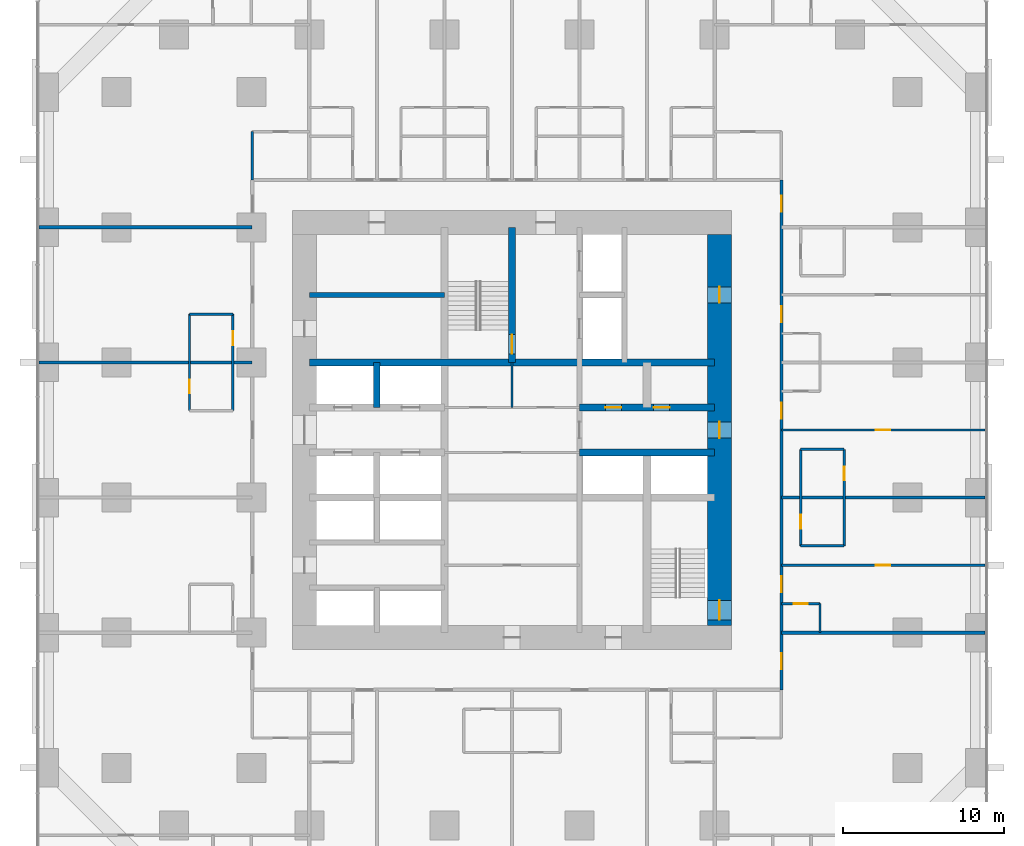
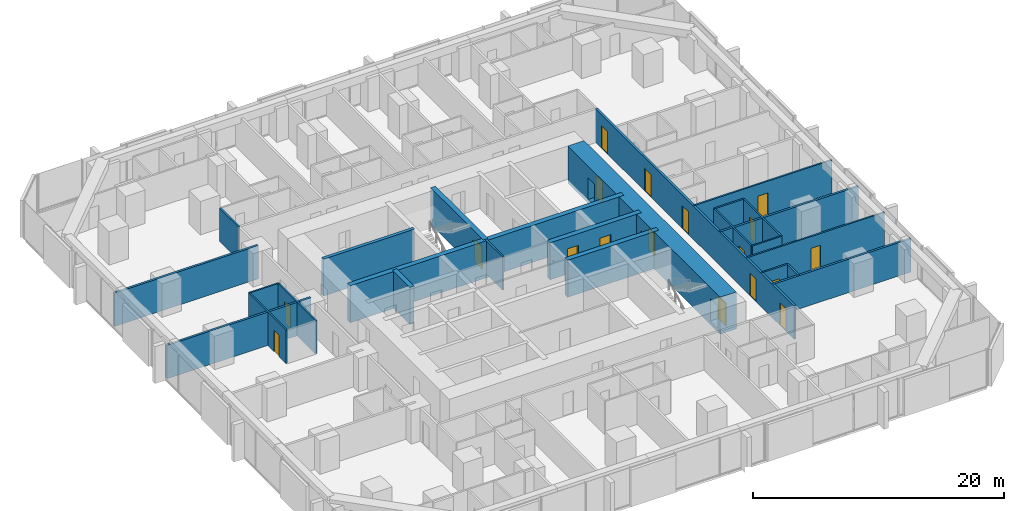
# One storey, part 13 of 17: 25 walls, 18 doors, 18 openings.
"""IFC4 building model written with IfcOpenShell, lengths in metres."""

from ifc_helpers import new_model, si_unit, direction, frame, frame_2d, origin, place, context, subcontext, project, spatial, rectangle, extrude, material, layer, layer_set, type_object, element, fill, save


model = new_model("IFC4")

# Units and contexts
model_context = context("Model", 3, precision=1e-05, world=origin(), true_north=direction((0.0, 1.0)))
body_context = subcontext(model_context, "Body", "Model", "MODEL_VIEW")
ifc_project = project(units=[si_unit("LENGTHUNIT", "METRE"), si_unit("AREAUNIT", "SQUARE_METRE"), si_unit("VOLUMEUNIT", "CUBIC_METRE"), si_unit("PLANEANGLEUNIT", "RADIAN"), si_unit("MASSUNIT", "GRAM", prefix="KILO")], contexts=[model_context])

# Site, building, storey
site_placement = place(None, origin())
site = spatial("IfcSite", under=ifc_project, at=site_placement, CompositionType="ELEMENT")
building_placement = place(site_placement, origin())
building = spatial("IfcBuilding", under=site, at=building_placement, Name="Dunama Terrace Hotel", CompositionType="ELEMENT")
storey_placement = place(building_placement, frame((0.0, 0.0, 66.60009765625)))
storey = spatial("IfcBuildingStorey", under=building, at=storey_placement, Name="L16", CompositionType="ELEMENT", Elevation=66.60009765625)

# Wall, opening, door
ifc_material_1 = material(Name="Gypsum board partition", Category="masonry")
ifc_layer_1 = layer(ifc_material_1, 0.14990234375)
ifc_layer_set_1 = layer_set([ifc_layer_1], Name="Bathroom partition 150")
wall_type_1 = type_object("IfcWallType", Name="Bathroom partition 150", PredefinedType="PARTITIONING", material=ifc_layer_set_1)
wall_1_placement = place(storey_placement, frame((9.35009765625, 30.60009765625, 0.0), z_axis=(0.0, 0.0, 1.0), x_axis=(0.0, 1.0, 0.0)))
wall_1 = element("IfcWall", 1, at=wall_1_placement, inside=storey, type_object=wall_type_1, Name="Bathroom partition 150 L16", PredefinedType="PARTITIONING", context=body_context, shape_type="SweptSolid", body=[
    extrude(rectangle(XDim=6.0, YDim=0.14990234375, at=frame_2d((3.0, 0.0))), origin(), (0.0, 0.0, 1.0), 3.25),
])
opening_1_placement = place(wall_1_placement, frame((1.074951171875, 0.0, 0.0)))
opening_1 = element("IfcOpeningElement", 2, at=opening_1_placement, cuts=wall_1, Name="Opening L15-16-052", PredefinedType="OPENING", context=body_context, shape_type="SweptSolid", body=[
    extrude(rectangle(XDim=0.85009765625, YDim=2.10009765625, at=frame_2d((0.425048828125, 1.050048828125))), frame((0.0, 0.0849609375, 0.0), z_axis=(0.0, -1.0, 0.0), x_axis=(1.0, 0.0, 0.0)), (0.0, 0.0, 1.0), 0.169921875),
])
ifc_material_2 = material(Name="Timber door with steel frame", Category="steel")
door_type_1 = type_object("IfcDoorType", Name="Bathroom door 850", OperationType="SINGLE_SWING_LEFT", PredefinedType="DOOR", material=ifc_material_2)
door_1_placement = place(opening_1_placement, frame((0.85009765625, 0.0, 0.0), z_axis=(0.0, 0.0, 1.0), x_axis=(-1.0, 0.0, 0.0)))
door_1 = element("IfcDoor", 3, at=door_1_placement, inside=storey, type_object=door_type_1, Name="Door to en-suite bathroom L15-16-052, type D2", OperationType="SINGLE_SWING_LEFT", OverallHeight=2.10009765625, OverallWidth=0.85009765625, PredefinedType="DOOR", context=body_context, shape_type="SweptSolid", body=[
    extrude(rectangle(XDim=0.85009765625, YDim=2.10009765625, at=frame_2d((0.425048828125, 1.050048828125))), frame((0.0, 0.025146484375, 0.0), z_axis=(0.0, -1.0, 0.0), x_axis=(1.0, 0.0, 0.0)), (0.0, 0.0, 1.0), 0.050048828125),
])
fill(opening_1, door_1)

wall_2_placement = place(storey_placement, frame((12.050048828125, 30.60009765625, 0.0), z_axis=(0.0, 0.0, 1.0), x_axis=(0.0, 1.0, 0.0)))
wall_2 = element("IfcWall", 4, at=wall_2_placement, inside=storey, type_object=wall_type_1, Name="Bathroom partition 150 L16", PredefinedType="PARTITIONING", context=body_context, shape_type="SweptSolid", body=[
    extrude(rectangle(XDim=6.0, YDim=0.14990234375, at=frame_2d((3.0, 0.0))), origin(), (0.0, 0.0, 1.0), 3.25),
])
opening_2_placement = place(wall_2_placement, frame((4.074951171875, 0.0, 0.0)))
opening_2 = element("IfcOpeningElement", 5, at=opening_2_placement, cuts=wall_2, Name="Opening L15-16-054", PredefinedType="OPENING", context=body_context, shape_type="SweptSolid", body=[
    extrude(rectangle(XDim=0.85009765625, YDim=2.10009765625, at=frame_2d((0.425048828125, 1.050048828125))), frame((0.0, 0.0849609375, 0.0), z_axis=(0.0, -1.0, 0.0), x_axis=(1.0, 0.0, 0.0)), (0.0, 0.0, 1.0), 0.169921875),
])
door_2_placement = place(opening_2_placement, origin())
door_2 = element("IfcDoor", 6, at=door_2_placement, inside=storey, type_object=door_type_1, Name="Door to en-suite bathroom L15-16-054, type D2", OperationType="SINGLE_SWING_LEFT", OverallHeight=2.10009765625, OverallWidth=0.85009765625, PredefinedType="DOOR", context=body_context, shape_type="SweptSolid", body=[
    extrude(rectangle(XDim=0.85009765625, YDim=2.10009765625, at=frame_2d((0.425048828125, 1.050048828125))), frame((0.0, 0.02490234375, 0.0), z_axis=(0.0, -1.0, 0.0), x_axis=(1.0, 0.0, 0.0)), (0.0, 0.0, 1.0), 0.050048828125),
])
fill(opening_2, door_2)

# Wall
wall_3_placement = place(storey_placement, frame((13.25, 44.949951171875, 0.0), z_axis=(0.0, 0.0, 1.0), x_axis=(0.0, 1.0, 0.0)))
element("IfcWall", 7, at=wall_3_placement, inside=storey, type_object=wall_type_1, Name="Bathroom partition 150 L16", PredefinedType="PARTITIONING", context=body_context, shape_type="SweptSolid", body=[
    extrude(rectangle(XDim=3.0, YDim=0.14990234375, at=frame_2d((1.5, 0.0))), origin(), (0.0, 0.0, 1.0), 3.25),
])

# Wall, opening, door
wall_4_placement = place(storey_placement, frame((47.35009765625, 22.199951171875, 0.0), z_axis=(0.0, 0.0, 1.0), x_axis=(0.0, 1.0, 0.0)))
wall_4 = element("IfcWall", 8, at=wall_4_placement, inside=storey, type_object=wall_type_1, Name="Bathroom partition 150 L16", PredefinedType="PARTITIONING", context=body_context, shape_type="SweptSolid", body=[
    extrude(rectangle(XDim=6.0, YDim=0.14990234375, at=frame_2d((3.0, 0.0))), origin(), (0.0, 0.0, 1.0), 3.25),
])
opening_3_placement = place(wall_4_placement, frame((1.074951171875, 0.0, 0.0)))
opening_3 = element("IfcOpeningElement", 9, at=opening_3_placement, cuts=wall_4, Name="Opening L15-16-022", PredefinedType="OPENING", context=body_context, shape_type="SweptSolid", body=[
    extrude(rectangle(XDim=0.85009765625, YDim=2.10009765625, at=frame_2d((0.425048828125, 1.050048828125))), frame((0.0, 0.0849609375, 0.0), z_axis=(0.0, -1.0, 0.0), x_axis=(1.0, 0.0, 0.0)), (0.0, 0.0, 1.0), 0.169921875),
])
door_3_placement = place(opening_3_placement, frame((0.85009765625, 0.0, 0.0), z_axis=(0.0, 0.0, 1.0), x_axis=(-1.0, 0.0, 0.0)))
door_3 = element("IfcDoor", 10, at=door_3_placement, inside=storey, type_object=door_type_1, Name="Door to en-suite bathroom L15-16-022, type D2", OperationType="SINGLE_SWING_LEFT", OverallHeight=2.10009765625, OverallWidth=0.85009765625, PredefinedType="DOOR", context=body_context, shape_type="SweptSolid", body=[
    extrude(rectangle(XDim=0.85009765625, YDim=2.10009765625, at=frame_2d((0.425048828125, 1.050048828125))), frame((0.0, 0.025146484375, 0.0), z_axis=(0.0, -1.0, 0.0), x_axis=(1.0, 0.0, 0.0)), (0.0, 0.0, 1.0), 0.050048828125),
])
fill(opening_3, door_3)

# Wall
wall_5_placement = place(storey_placement, frame((48.550048828125, 16.800048828125, 0.0), z_axis=(0.0, 0.0, 1.0), x_axis=(0.0, 1.0, 0.0)))
element("IfcWall", 11, at=wall_5_placement, inside=storey, type_object=wall_type_1, Name="Bathroom partition 150 L16", PredefinedType="PARTITIONING", context=body_context, shape_type="SweptSolid", body=[
    extrude(rectangle(XDim=1.800048828125, YDim=0.14990234375, at=frame_2d((0.89990234375, 0.0))), origin(), (0.0, 0.0, 1.0), 3.25),
])

# Wall, opening, door
wall_6_placement = place(storey_placement, frame((50.050048828125, 22.199951171875, 0.0), z_axis=(0.0, 0.0, 1.0), x_axis=(0.0, 1.0, 0.0)))
wall_6 = element("IfcWall", 12, at=wall_6_placement, inside=storey, type_object=wall_type_1, Name="Bathroom partition 150 L16", PredefinedType="PARTITIONING", context=body_context, shape_type="SweptSolid", body=[
    extrude(rectangle(XDim=6.0, YDim=0.14990234375, at=frame_2d((3.0, 0.0))), origin(), (0.0, 0.0, 1.0), 3.25),
])
opening_4_placement = place(wall_6_placement, frame((4.074951171875, 0.0, 0.0)))
opening_4 = element("IfcOpeningElement", 13, at=opening_4_placement, cuts=wall_6, Name="Opening L15-16-026", PredefinedType="OPENING", context=body_context, shape_type="SweptSolid", body=[
    extrude(rectangle(XDim=0.85009765625, YDim=2.10009765625, at=frame_2d((0.425048828125, 1.050048828125))), frame((0.0, 0.0849609375, 0.0), z_axis=(0.0, -1.0, 0.0), x_axis=(1.0, 0.0, 0.0)), (0.0, 0.0, 1.0), 0.169921875),
])
door_4_placement = place(opening_4_placement, origin())
door_4 = element("IfcDoor", 14, at=door_4_placement, inside=storey, type_object=door_type_1, Name="Door to en-suite bathroom L15-16-026, type D2", OperationType="SINGLE_SWING_LEFT", OverallHeight=2.10009765625, OverallWidth=0.85009765625, PredefinedType="DOOR", context=body_context, shape_type="SweptSolid", body=[
    extrude(rectangle(XDim=0.85009765625, YDim=2.10009765625, at=frame_2d((0.425048828125, 1.050048828125))), frame((0.0, 0.02490234375, 0.0), z_axis=(0.0, -1.0, 0.0), x_axis=(1.0, 0.0, 0.0)), (0.0, 0.0, 1.0), 0.050048828125),
])
fill(opening_4, door_4)

wall_7_placement = place(storey_placement, frame((46.14990234375, 18.60009765625, 0.0), z_axis=(0.0, 0.0, 1.0), x_axis=(1.0, 0.0, 0.0)))
wall_7 = element("IfcWall", 15, at=wall_7_placement, inside=storey, type_object=wall_type_1, Name="Bathroom partition 150 L16", PredefinedType="PARTITIONING", context=body_context, shape_type="SweptSolid", body=[
    extrude(rectangle(XDim=2.400146484375, YDim=0.14990234375, at=frame_2d((1.2001953125, 0.0))), origin(), (0.0, 0.0, 1.0), 3.25),
])
opening_5_placement = place(wall_7_placement, frame((0.77490234375, 0.0, 0.0)))
opening_5 = element("IfcOpeningElement", 16, at=opening_5_placement, cuts=wall_7, Name="Opening L15-16-020", PredefinedType="OPENING", context=body_context, shape_type="SweptSolid", body=[
    extrude(rectangle(XDim=0.85009765625, YDim=2.10009765625, at=frame_2d((0.425048828125, 1.050048828125))), frame((0.0, 0.0849609375, 0.0), z_axis=(0.0, -1.0, 0.0), x_axis=(1.0, 0.0, 0.0)), (0.0, 0.0, 1.0), 0.169921875),
])
door_5_placement = place(opening_5_placement, frame((0.85009765625, 0.0, 0.0), z_axis=(0.0, 0.0, 1.0), x_axis=(-1.0, 0.0, 0.0)))
door_5 = element("IfcDoor", 17, at=door_5_placement, inside=storey, type_object=door_type_1, Name="Door to powder room L15-16-020, type D2", OperationType="SINGLE_SWING_RIGHT", OverallHeight=2.10009765625, OverallWidth=0.85009765625, PredefinedType="DOOR", context=body_context, shape_type="SweptSolid", body=[
    extrude(rectangle(XDim=0.85009765625, YDim=2.10009765625, at=frame_2d((0.425048828125, 1.050048828125))), frame((0.0, 0.025146484375, 0.0), z_axis=(0.0, -1.0, 0.0), x_axis=(1.0, 0.0, 0.0)), (0.0, 0.0, 1.0), 0.050048828125),
])
fill(opening_5, door_5)

# Walls
for number, where, z_axis, x_axis, name in (
    (18, (47.35009765625, 22.199951171875, 0.0), (0.0, 0.0, 1.0), (1.0, 0.0, 0.0), "Bathroom partition 150 L16"),
    (19, (47.35009765625, 28.199951171875, 0.0), (0.0, 0.0, 1.0), (1.0, 0.0, 0.0), "Bathroom partition 150 L16"),
    (20, (9.35009765625, 36.60009765625, 0.0), (0.0, 0.0, 1.0), (1.0, 0.0, 0.0), "Bathroom partition 150 L16"),
):
    element("IfcWall", number, at=place(storey_placement, frame(where, z_axis=z_axis, x_axis=x_axis)), inside=storey, type_object=wall_type_1, Name=name, PredefinedType="PARTITIONING", context=body_context, shape_type="SweptSolid", body=[
        extrude(rectangle(XDim=2.699951171875, YDim=0.14990234375, at=frame_2d((1.35009765625, 0.0))), origin(), (0.0, 0.0, 1.0), 3.25),
    ])
ifc_material_3 = material(Name="Concrete C50/60", Category="concrete")
ifc_layer_2 = layer(ifc_material_3, 0.300048828125)
ifc_layer_set_2 = layer_set([ifc_layer_2], Name="Core inner wall 300")
wall_type_2 = type_object("IfcWallType", Name="Core inner wall 300", PredefinedType="SHEAR", material=ifc_layer_set_2)
wall_8_placement = place(storey_placement, frame((16.800048828125, 37.800048828125, -0.35009765625), z_axis=(0.0, 0.0, 1.0), x_axis=(1.0, 0.0, 0.0)))
element("IfcWall", 21, at=wall_8_placement, inside=storey, type_object=wall_type_2, Name="Core inner wall 300 L16", PredefinedType="SHEAR", context=body_context, shape_type="SweptSolid", body=[
    extrude(rectangle(XDim=8.39990234375, YDim=0.300048828125, at=frame_2d((4.199951171875, 0.0))), origin(), (0.0, 0.0, 1.0), 3.60009765625),
])
ifc_material_4 = material(Name="Concrete C50/60", Category="concrete")
ifc_layer_3 = layer(ifc_material_4, 0.39990234375)
ifc_layer_set_3 = layer_set([ifc_layer_3], Name="Core inner wall 400")
wall_type_3 = type_object("IfcWallType", Name="Core inner wall 400", PredefinedType="SHEAR", material=ifc_layer_set_3)
wall_9_placement = place(storey_placement, frame((21.0, 30.800048828125, -0.35009765625), z_axis=(0.0, 0.0, 1.0), x_axis=(0.0, 1.0, 0.0)))
element("IfcWall", 22, at=wall_9_placement, inside=storey, type_object=wall_type_3, Name="Core inner wall 400 L16", PredefinedType="SHEAR", context=body_context, shape_type="SweptSolid", body=[
    extrude(rectangle(XDim=2.800048828125, YDim=0.39990234375, at=frame_2d((1.39990234375, 0.0))), origin(), (0.0, 0.0, 1.0), 3.60009765625),
])

# Wall, opening, door
ifc_material_5 = material(Name="Concrete C50/60", Category="concrete")
ifc_layer_4 = layer(ifc_material_5, 0.449951171875)
ifc_layer_set_4 = layer_set([ifc_layer_4], Name="Core inner wall 450")
wall_type_4 = type_object("IfcWallType", Name="Core inner wall 450", PredefinedType="SHEAR", material=ifc_layer_set_4)
wall_10_placement = place(storey_placement, frame((29.39990234375, 33.60009765625, -0.35009765625), z_axis=(0.0, 0.0, 1.0), x_axis=(0.0, 1.0, 0.0)))
wall_10 = element("IfcWall", 23, at=wall_10_placement, inside=storey, type_object=wall_type_4, Name="Core inner wall 450 L16", PredefinedType="SHEAR", context=body_context, shape_type="SweptSolid", body=[
    extrude(rectangle(XDim=8.39990234375, YDim=0.449951171875, at=frame_2d((4.199951171875, 0.0))), origin(), (0.0, 0.0, 1.0), 3.60009765625),
])
opening_6_placement = place(wall_10_placement, frame((0.52490234375, 0.0, 0.35009765625)))
opening_6 = element("IfcOpeningElement", 24, at=opening_6_placement, cuts=wall_10, Name="Opening L15-16-001", PredefinedType="OPENING", context=body_context, shape_type="SweptSolid", body=[
    extrude(rectangle(XDim=1.199951171875, YDim=2.199951171875, at=frame_2d((0.60009765625, 1.10009765625))), frame((0.0, 0.23486328125, 0.0), z_axis=(0.0, -1.0, 0.0), x_axis=(1.0, 0.0, 0.0)), (0.0, 0.0, 1.0), 0.469970703125),
])
ifc_material_6 = material(Name="Timber door with steel frame", Category="steel")
door_type_2 = type_object("IfcDoorType", Name="Stair door 1200", OperationType="SINGLE_SWING_LEFT", PredefinedType="DOOR", material=ifc_material_6)
door_6_placement = place(opening_6_placement, origin())
door_6 = element("IfcDoor", 25, at=door_6_placement, inside=storey, type_object=door_type_2, Name="Stair door ST1 L15-16-001, type D5", OperationType="SINGLE_SWING_LEFT", OverallHeight=2.199951171875, OverallWidth=1.199951171875, PredefinedType="DOOR", context=body_context, shape_type="SweptSolid", body=[
    extrude(rectangle(XDim=1.199951171875, YDim=2.199951171875, at=frame_2d((0.60009765625, 1.10009765625))), frame((0.0, 0.02490234375, 0.0), z_axis=(0.0, -1.0, 0.0), x_axis=(1.0, 0.0, 0.0)), (0.0, 0.0, 1.0), 0.050048828125),
])
fill(opening_6, door_6)

# Wall
wall_11_placement = place(storey_placement, frame((33.60009765625, 28.0, -0.35009765625), z_axis=(0.0, 0.0, 1.0), x_axis=(1.0, 0.0, 0.0)))
element("IfcWall", 26, at=wall_11_placement, inside=storey, type_object=wall_type_4, Name="Core inner wall 450 L16", PredefinedType="SHEAR", context=body_context, shape_type="SweptSolid", body=[
    extrude(rectangle(XDim=8.39990234375, YDim=0.449951171875, at=frame_2d((4.199951171875, 0.0))), origin(), (0.0, 0.0, 1.0), 3.60009765625),
])

# Wall, openings, doors
wall_12_placement = place(storey_placement, frame((33.60009765625, 30.800048828125, -0.35009765625), z_axis=(0.0, 0.0, 1.0), x_axis=(1.0, 0.0, 0.0)))
wall_12 = element("IfcWall", 27, at=wall_12_placement, inside=storey, type_object=wall_type_4, Name="Core inner wall 450 L16", PredefinedType="SHEAR", context=body_context, shape_type="SweptSolid", body=[
    extrude(rectangle(XDim=8.39990234375, YDim=0.449951171875, at=frame_2d((4.199951171875, 0.0))), origin(), (0.0, 0.0, 1.0), 3.60009765625),
])
opening_7_placement = place(wall_12_placement, frame((1.60009765625, 0.0, 0.35009765625)))
opening_7 = element("IfcOpeningElement", 28, at=opening_7_placement, cuts=wall_12, Name="Opening L15-16-083", PredefinedType="OPENING", context=body_context, shape_type="SweptSolid", body=[
    extrude(rectangle(XDim=1.0, YDim=2.10009765625, at=frame_2d((0.5, 1.050048828125))), frame((0.0, 0.23486328125, 0.0), z_axis=(0.0, -1.0, 0.0), x_axis=(1.0, 0.0, 0.0)), (0.0, 0.0, 1.0), 0.469970703125),
])
opening_8_placement = place(wall_12_placement, frame((4.60009765625, 0.0, 0.35009765625)))
opening_8 = element("IfcOpeningElement", 29, at=opening_8_placement, cuts=wall_12, Name="Opening L15-16-084", PredefinedType="OPENING", context=body_context, shape_type="SweptSolid", body=[
    extrude(rectangle(XDim=1.0, YDim=2.10009765625, at=frame_2d((0.5, 1.050048828125))), frame((0.0, 0.23486328125, 0.0), z_axis=(0.0, -1.0, 0.0), x_axis=(1.0, 0.0, 0.0)), (0.0, 0.0, 1.0), 0.469970703125),
])
ifc_material_7 = material(Name="Timber door with steel frame", Category="steel")
door_type_3 = type_object("IfcDoorType", Name="Service door 1000", OperationType="SINGLE_SWING_LEFT", PredefinedType="DOOR", material=ifc_material_7)
door_7_placement = place(opening_7_placement, origin())
door_7 = element("IfcDoor", 30, at=door_7_placement, inside=storey, type_object=door_type_3, Name="Door to service riser L15-16-083, type D7", OperationType="SINGLE_SWING_RIGHT", OverallHeight=2.10009765625, OverallWidth=1.0, PredefinedType="DOOR", context=body_context, shape_type="SweptSolid", body=[
    extrude(rectangle(XDim=1.0, YDim=2.10009765625, at=frame_2d((0.5, 1.050048828125))), frame((0.0, 0.02490234375, 0.0), z_axis=(0.0, -1.0, 0.0), x_axis=(1.0, 0.0, 0.0)), (0.0, 0.0, 1.0), 0.050048828125),
])
fill(opening_7, door_7)
door_8_placement = place(opening_8_placement, origin())
door_8 = element("IfcDoor", 31, at=door_8_placement, inside=storey, type_object=door_type_3, Name="Door to staff accessible wc L15-16-084, type D7", OperationType="SINGLE_SWING_LEFT", OverallHeight=2.10009765625, OverallWidth=1.0, PredefinedType="DOOR", context=body_context, shape_type="SweptSolid", body=[
    extrude(rectangle(XDim=1.0, YDim=2.10009765625, at=frame_2d((0.5, 1.050048828125))), frame((0.0, 0.02490234375, 0.0), z_axis=(0.0, -1.0, 0.0), x_axis=(1.0, 0.0, 0.0)), (0.0, 0.0, 1.0), 0.050048828125),
])
fill(opening_8, door_8)

# Wall
wall_13_placement = place(storey_placement, frame((16.800048828125, 33.60009765625, -0.35009765625), z_axis=(0.0, 0.0, 1.0), x_axis=(1.0, 0.0, 0.0)))
element("IfcWall", 32, at=wall_13_placement, inside=storey, type_object=wall_type_4, Name="Core inner wall 450 L16", PredefinedType="SHEAR", context=body_context, shape_type="SweptSolid", body=[
    extrude(rectangle(XDim=25.199951171875, YDim=0.449951171875, at=frame_2d((12.60009765625, 0.0))), origin(), (0.0, 0.0, 1.0), 3.60009765625),
])

# Wall, openings, doors
ifc_material_8 = material(Name="Concrete C60/75", Category="concrete")
ifc_layer_5 = layer(ifc_material_8, 1.5)
ifc_layer_set_5 = layer_set([ifc_layer_5], Name="Core wall 1500")
wall_type_5 = type_object("IfcWallType", Name="Core wall 1500", PredefinedType="SHEAR", material=ifc_layer_set_5)
wall_14_placement = place(storey_placement, frame((42.300048828125, 17.25, -0.35009765625), z_axis=(0.0, 0.0, 1.0), x_axis=(0.0, 1.0, 0.0)))
wall_14 = element("IfcWall", 33, at=wall_14_placement, inside=storey, type_object=wall_type_5, Name="Core wall east L16", PredefinedType="SHEAR", context=body_context, shape_type="SweptSolid", body=[
    extrude(rectangle(XDim=24.300048828125, YDim=1.5, at=frame_2d((12.14990234375, 0.0))), origin(), (0.0, 0.0, 1.0), 3.60009765625),
])
opening_9_placement = place(wall_14_placement, frame((0.35009765625, 0.0, 0.35009765625)))
opening_9 = element("IfcOpeningElement", 34, at=opening_9_placement, cuts=wall_14, Name="Opening L15-16-002", PredefinedType="OPENING", context=body_context, shape_type="SweptSolid", body=[
    extrude(rectangle(XDim=1.199951171875, YDim=2.199951171875, at=frame_2d((0.60009765625, 1.10009765625))), frame((0.0, 0.760009765625, 0.0), z_axis=(0.0, -1.0, 0.0), x_axis=(1.0, 0.0, 0.0)), (0.0, 0.0, 1.0), 1.52001953125),
])
opening_10_placement = place(wall_14_placement, frame((11.64990234375, 0.0, 0.35009765625)))
opening_10 = element("IfcOpeningElement", 35, at=opening_10_placement, cuts=wall_14, Name="Opening L15-16-085", PredefinedType="OPENING", context=body_context, shape_type="SweptSolid", body=[
    extrude(rectangle(XDim=1.0, YDim=2.10009765625, at=frame_2d((0.5, 1.050048828125))), frame((0.0, 0.760009765625, 0.0), z_axis=(0.0, -1.0, 0.0), x_axis=(1.0, 0.0, 0.0)), (0.0, 0.0, 1.0), 1.52001953125),
])
opening_11_placement = place(wall_14_placement, frame((20.050048828125, 0.0, 0.35009765625)))
opening_11 = element("IfcOpeningElement", 36, at=opening_11_placement, cuts=wall_14, Name="Opening L15-16-087", PredefinedType="OPENING", context=body_context, shape_type="SweptSolid", body=[
    extrude(rectangle(XDim=1.0, YDim=2.10009765625, at=frame_2d((0.5, 1.050048828125))), frame((0.0, 0.760009765625, 0.0), z_axis=(0.0, -1.0, 0.0), x_axis=(1.0, 0.0, 0.0)), (0.0, 0.0, 1.0), 1.52001953125),
])
door_9_placement = place(opening_10_placement, origin())
door_9 = element("IfcDoor", 37, at=door_9_placement, inside=storey, type_object=door_type_3, Name="Door to service lobby L15-16-085, type D7", OperationType="SINGLE_SWING_LEFT", OverallHeight=2.10009765625, OverallWidth=1.0, PredefinedType="DOOR", context=body_context, shape_type="SweptSolid", body=[
    extrude(rectangle(XDim=1.0, YDim=2.10009765625, at=frame_2d((0.5, 1.050048828125))), frame((0.0, 0.02490234375, 0.0), z_axis=(0.0, -1.0, 0.0), x_axis=(1.0, 0.0, 0.0)), (0.0, 0.0, 1.0), 0.050048828125),
])
fill(opening_10, door_9)
door_10_placement = place(opening_11_placement, origin())
door_10 = element("IfcDoor", 38, at=door_10_placement, inside=storey, type_object=door_type_3, Name="Door to ice and vending room L15-16-087, type D7", OperationType="SINGLE_SWING_RIGHT", OverallHeight=2.10009765625, OverallWidth=1.0, PredefinedType="DOOR", context=body_context, shape_type="SweptSolid", body=[
    extrude(rectangle(XDim=1.0, YDim=2.10009765625, at=frame_2d((0.5, 1.050048828125))), frame((0.0, 0.02490234375, 0.0), z_axis=(0.0, -1.0, 0.0), x_axis=(1.0, 0.0, 0.0)), (0.0, 0.0, 1.0), 0.050048828125),
])
fill(opening_11, door_10)
door_11_placement = place(opening_9_placement, origin())
door_11 = element("IfcDoor", 39, at=door_11_placement, inside=storey, type_object=door_type_2, Name="Stair door ST2 L15-16-002, type D5", OperationType="SINGLE_SWING_LEFT", OverallHeight=2.199951171875, OverallWidth=1.199951171875, PredefinedType="DOOR", context=body_context, shape_type="SweptSolid", body=[
    extrude(rectangle(XDim=1.199951171875, YDim=2.199951171875, at=frame_2d((0.60009765625, 1.10009765625))), frame((0.0, 0.02490234375, 0.0), z_axis=(0.0, -1.0, 0.0), x_axis=(1.0, 0.0, 0.0)), (0.0, 0.0, 1.0), 0.050048828125),
])
fill(opening_9, door_11)

ifc_material_9 = material(Name="Concrete blockwork", Category="masonry")
ifc_layer_6 = layer(ifc_material_9, 0.199951171875)
ifc_layer_set_6 = layer_set([ifc_layer_6], Name="Corridor partition 200")
wall_type_6 = type_object("IfcWallType", Name="Corridor partition 200", PredefinedType="PARTITIONING", material=ifc_layer_set_6)
wall_15_placement = place(storey_placement, frame((46.14990234375, 44.949951171875, 0.0), z_axis=(0.0, 0.0, 1.0), x_axis=(0.0, -1.0, 0.0)))
wall_15 = element("IfcWall", 40, at=wall_15_placement, inside=storey, type_object=wall_type_6, Name="Corridor partition 200 L16", PredefinedType="PARTITIONING", context=body_context, shape_type="SweptSolid", body=[
    extrude(rectangle(XDim=31.699951171875, YDim=0.199951171875, at=frame_2d((15.85009765625, 0.0))), origin(), (0.0, 0.0, 1.0), 3.25),
])
opening_12_placement = place(wall_15_placement, frame((24.64990234375, 0.0, 0.0)))
opening_12 = element("IfcOpeningElement", 41, at=opening_12_placement, cuts=wall_15, Name="Opening L15-16-019", PredefinedType="OPENING", context=body_context, shape_type="SweptSolid", body=[
    extrude(rectangle(XDim=1.0, YDim=2.199951171875, at=frame_2d((0.5, 1.10009765625))), frame((0.0, 0.10986328125, 0.0), z_axis=(0.0, -1.0, 0.0), x_axis=(1.0, 0.0, 0.0)), (0.0, 0.0, 1.0), 0.219970703125),
])
opening_13_placement = place(wall_15_placement, frame((13.85009765625, 0.0, 0.0)))
opening_13 = element("IfcOpeningElement", 42, at=opening_13_placement, cuts=wall_15, Name="Opening L15-16-023", PredefinedType="OPENING", context=body_context, shape_type="SweptSolid", body=[
    extrude(rectangle(XDim=1.0, YDim=2.199951171875, at=frame_2d((0.5, 1.10009765625))), frame((0.0, 0.10986328125, 0.0), z_axis=(0.0, -1.0, 0.0), x_axis=(1.0, 0.0, 0.0)), (0.0, 0.0, 1.0), 0.219970703125),
])
opening_14_placement = place(wall_15_placement, frame((7.85009765625, 0.0, 0.0)))
opening_14 = element("IfcOpeningElement", 43, at=opening_14_placement, cuts=wall_15, Name="Opening L15-16-027", PredefinedType="OPENING", context=body_context, shape_type="SweptSolid", body=[
    extrude(rectangle(XDim=1.0, YDim=2.199951171875, at=frame_2d((0.5, 1.10009765625))), frame((0.0, 0.10986328125, 0.0), z_axis=(0.0, -1.0, 0.0), x_axis=(1.0, 0.0, 0.0)), (0.0, 0.0, 1.0), 0.219970703125),
])
opening_15_placement = place(wall_15_placement, frame((29.425048828125, 0.0, 0.0)))
opening_15 = element("IfcOpeningElement", 44, at=opening_15_placement, cuts=wall_15, Name="Opening L15-16-060", PredefinedType="OPENING", context=body_context, shape_type="SweptSolid", body=[
    extrude(rectangle(XDim=1.0, YDim=2.199951171875, at=frame_2d((0.5, 1.10009765625))), frame((0.0, 0.10986328125, 0.0), z_axis=(0.0, -1.0, 0.0), x_axis=(1.0, 0.0, 0.0)), (0.0, 0.0, 1.0), 0.219970703125),
])
opening_16_placement = place(wall_15_placement, frame((0.97509765625, 0.0, 0.0)))
opening_16 = element("IfcOpeningElement", 45, at=opening_16_placement, cuts=wall_15, Name="Opening L15-16-065", PredefinedType="OPENING", context=body_context, shape_type="SweptSolid", body=[
    extrude(rectangle(XDim=1.0, YDim=2.199951171875, at=frame_2d((0.5, 1.10009765625))), frame((0.0, 0.10986328125, 0.0), z_axis=(0.0, -1.0, 0.0), x_axis=(1.0, 0.0, 0.0)), (0.0, 0.0, 1.0), 0.219970703125),
])
ifc_material_10 = material(Name="Timber door with steel frame", Category="steel")
door_type_4 = type_object("IfcDoorType", Name="Guest room door 1000", OperationType="SINGLE_SWING_LEFT", PredefinedType="DOOR", material=ifc_material_10)
door_12_placement = place(opening_12_placement, origin())
door_12 = element("IfcDoor", 46, at=door_12_placement, inside=storey, type_object=door_type_4, Name="Door to executive suite living room L15-16-019, type D1", OperationType="SINGLE_SWING_LEFT", OverallHeight=2.199951171875, OverallWidth=1.0, PredefinedType="DOOR", context=body_context, shape_type="SweptSolid", body=[
    extrude(rectangle(XDim=1.0, YDim=2.199951171875, at=frame_2d((0.5, 1.10009765625))), frame((0.0, 0.02490234375, 0.0), z_axis=(0.0, -1.0, 0.0), x_axis=(1.0, 0.0, 0.0)), (0.0, 0.0, 1.0), 0.050048828125),
])
fill(opening_12, door_12)
door_13_placement = place(opening_13_placement, origin())
door_13 = element("IfcDoor", 47, at=door_13_placement, inside=storey, type_object=door_type_4, Name="Door to executive suite living room L15-16-023, type D1", OperationType="SINGLE_SWING_LEFT", OverallHeight=2.199951171875, OverallWidth=1.0, PredefinedType="DOOR", context=body_context, shape_type="SweptSolid", body=[
    extrude(rectangle(XDim=1.0, YDim=2.199951171875, at=frame_2d((0.5, 1.10009765625))), frame((0.0, 0.02490234375, 0.0), z_axis=(0.0, -1.0, 0.0), x_axis=(1.0, 0.0, 0.0)), (0.0, 0.0, 1.0), 0.050048828125),
])
fill(opening_13, door_13)
door_14_placement = place(opening_14_placement, origin())
door_14 = element("IfcDoor", 48, at=door_14_placement, inside=storey, type_object=door_type_4, Name="Door to executive suite living room L15-16-027, type D1", OperationType="SINGLE_SWING_LEFT", OverallHeight=2.199951171875, OverallWidth=1.0, PredefinedType="DOOR", context=body_context, shape_type="SweptSolid", body=[
    extrude(rectangle(XDim=1.0, YDim=2.199951171875, at=frame_2d((0.5, 1.10009765625))), frame((0.0, 0.02490234375, 0.0), z_axis=(0.0, -1.0, 0.0), x_axis=(1.0, 0.0, 0.0)), (0.0, 0.0, 1.0), 0.050048828125),
])
fill(opening_14, door_14)
door_15_placement = place(opening_15_placement, origin())
door_15 = element("IfcDoor", 49, at=door_15_placement, inside=storey, type_object=door_type_4, Name="Door to corner suite living room L15-16-060, type D1", OperationType="SINGLE_SWING_LEFT", OverallHeight=2.199951171875, OverallWidth=1.0, PredefinedType="DOOR", context=body_context, shape_type="SweptSolid", body=[
    extrude(rectangle(XDim=1.0, YDim=2.199951171875, at=frame_2d((0.5, 1.10009765625))), frame((0.0, 0.02490234375, 0.0), z_axis=(0.0, -1.0, 0.0), x_axis=(1.0, 0.0, 0.0)), (0.0, 0.0, 1.0), 0.050048828125),
])
fill(opening_15, door_15)
door_16_placement = place(opening_16_placement, origin())
door_16 = element("IfcDoor", 50, at=door_16_placement, inside=storey, type_object=door_type_4, Name="Door to corner suite living room L15-16-065, type D1", OperationType="SINGLE_SWING_LEFT", OverallHeight=2.199951171875, OverallWidth=1.0, PredefinedType="DOOR", context=body_context, shape_type="SweptSolid", body=[
    extrude(rectangle(XDim=1.0, YDim=2.199951171875, at=frame_2d((0.5, 1.10009765625))), frame((0.0, 0.02490234375, 0.0), z_axis=(0.0, -1.0, 0.0), x_axis=(1.0, 0.0, 0.0)), (0.0, 0.0, 1.0), 0.050048828125),
])
fill(opening_16, door_16)

# Walls
ifc_material_11 = material(Name="Concrete blockwork", Category="masonry")
ifc_layer_7 = layer(ifc_material_11, 0.199951171875)
ifc_layer_set_7 = layer_set([ifc_layer_7], Name="Party wall 200")
wall_type_7 = type_object("IfcWallType", Name="Party wall 200", PredefinedType="PARTITIONING", material=ifc_layer_set_7)
for number, where, z_axis, x_axis, name in (
    (51, (46.14990234375, 16.800048828125, 0.0), (0.0, 0.0, 1.0), (1.0, 0.0, 0.0), "Party wall 200 L16"),
    (52, (46.14990234375, 25.199951171875, 0.0), (0.0, 0.0, 1.0), (1.0, 0.0, 0.0), "Party wall 200 L16"),
):
    element("IfcWall", number, at=place(storey_placement, frame(where, z_axis=z_axis, x_axis=x_axis)), inside=storey, type_object=wall_type_7, Name=name, PredefinedType="PARTITIONING", context=body_context, shape_type="SweptSolid", body=[
        extrude(rectangle(XDim=12.658203125, YDim=0.199951171875, at=frame_2d((6.3291015625, 0.0))), origin(), (0.0, 0.0, 1.0), 3.25),
    ])
for number, where, z_axis, x_axis, name in (
    (53, (-0.008056640625, 33.60009765625, 0.0), (0.0, 0.0, 1.0), (1.0, 0.0, 0.0), "Party wall 200 L16"),
    (54, (-0.008056640625, 42.0, 0.0), (0.0, 0.0, 1.0), (1.0, 0.0, 0.0), "Party wall 200 L16"),
):
    element("IfcWall", number, at=place(storey_placement, frame(where, z_axis=z_axis, x_axis=x_axis)), inside=storey, type_object=wall_type_7, Name=name, PredefinedType="PARTITIONING", context=body_context, shape_type="SweptSolid", body=[
        extrude(rectangle(XDim=13.258056640625, YDim=0.199951171875, at=frame_2d((6.62890625, 0.0))), origin(), (0.0, 0.0, 1.0), 3.25),
    ])
ifc_material_12 = material(Name="Gypsum board partition", Category="masonry")
ifc_layer_8 = layer(ifc_material_12, 0.14990234375)
ifc_layer_set_8 = layer_set([ifc_layer_8], Name="Room partition 150")
wall_type_8 = type_object("IfcWallType", Name="Room partition 150", PredefinedType="PARTITIONING", material=ifc_layer_set_8)
wall_16_placement = place(storey_placement, frame((29.39990234375, 30.800048828125, 0.0), z_axis=(0.0, 0.0, 1.0), x_axis=(0.0, 1.0, 0.0)))
element("IfcWall", 55, at=wall_16_placement, inside=storey, type_object=wall_type_8, Name="Room partition 150 L16", PredefinedType="PARTITIONING", context=body_context, shape_type="SweptSolid", body=[
    extrude(rectangle(XDim=2.800048828125, YDim=0.14990234375, at=frame_2d((1.39990234375, 0.0))), origin(), (0.0, 0.0, 1.0), 3.25),
])

# Wall, opening, door
wall_17_placement = place(storey_placement, frame((46.14990234375, 21.0, 0.0), z_axis=(0.0, 0.0, 1.0), x_axis=(1.0, 0.0, 0.0)))
wall_17 = element("IfcWall", 56, at=wall_17_placement, inside=storey, type_object=wall_type_8, Name="Room partition 150 L16", PredefinedType="PARTITIONING", context=body_context, shape_type="SweptSolid", body=[
    extrude(rectangle(XDim=12.658203125, YDim=0.14990234375, at=frame_2d((6.3291015625, 0.0))), origin(), (0.0, 0.0, 1.0), 3.25),
])
opening_17_placement = place(wall_17_placement, frame((5.875, 0.0, 0.0)))
opening_17 = element("IfcOpeningElement", 57, at=opening_17_placement, cuts=wall_17, Name="Opening L15-16-021", PredefinedType="OPENING", context=body_context, shape_type="SweptSolid", body=[
    extrude(rectangle(XDim=0.89990234375, YDim=2.10009765625, at=frame_2d((0.449951171875, 1.050048828125))), frame((0.0, 0.0849609375, 0.0), z_axis=(0.0, -1.0, 0.0), x_axis=(1.0, 0.0, 0.0)), (0.0, 0.0, 1.0), 0.169921875),
])
ifc_material_13 = material(Name="Timber door with steel frame", Category="steel")
door_type_5 = type_object("IfcDoorType", Name="Suite internal door 900", OperationType="SINGLE_SWING_LEFT", PredefinedType="DOOR", material=ifc_material_13)
door_17_placement = place(opening_17_placement, origin())
door_17 = element("IfcDoor", 58, at=door_17_placement, inside=storey, type_object=door_type_5, Name="Door to executive suite bedroom L15-16-021, type D16", OperationType="SINGLE_SWING_LEFT", OverallHeight=2.10009765625, OverallWidth=0.89990234375, PredefinedType="DOOR", context=body_context, shape_type="SweptSolid", body=[
    extrude(rectangle(XDim=0.89990234375, YDim=2.10009765625, at=frame_2d((0.449951171875, 1.050048828125))), frame((0.0, 0.02490234375, 0.0), z_axis=(0.0, -1.0, 0.0), x_axis=(1.0, 0.0, 0.0)), (0.0, 0.0, 1.0), 0.050048828125),
])
fill(opening_17, door_17)

wall_18_placement = place(storey_placement, frame((46.14990234375, 29.39990234375, 0.0), z_axis=(0.0, 0.0, 1.0), x_axis=(1.0, 0.0, 0.0)))
wall_18 = element("IfcWall", 59, at=wall_18_placement, inside=storey, type_object=wall_type_8, Name="Room partition 150 L16", PredefinedType="PARTITIONING", context=body_context, shape_type="SweptSolid", body=[
    extrude(rectangle(XDim=12.658203125, YDim=0.14990234375, at=frame_2d((6.3291015625, 0.0))), origin(), (0.0, 0.0, 1.0), 3.25),
])
opening_18_placement = place(wall_18_placement, frame((5.875, 0.0, 0.0)))
opening_18 = element("IfcOpeningElement", 60, at=opening_18_placement, cuts=wall_18, Name="Opening L15-16-025", PredefinedType="OPENING", context=body_context, shape_type="SweptSolid", body=[
    extrude(rectangle(XDim=0.89990234375, YDim=2.10009765625, at=frame_2d((0.449951171875, 1.050048828125))), frame((0.0, 0.0849609375, 0.0), z_axis=(0.0, -1.0, 0.0), x_axis=(1.0, 0.0, 0.0)), (0.0, 0.0, 1.0), 0.169921875),
])
door_18_placement = place(opening_18_placement, frame((0.89990234375, 0.0, 0.0), z_axis=(0.0, 0.0, 1.0), x_axis=(-1.0, 0.0, 0.0)))
door_18 = element("IfcDoor", 61, at=door_18_placement, inside=storey, type_object=door_type_5, Name="Door to executive suite bedroom L15-16-025, type D16", OperationType="SINGLE_SWING_RIGHT", OverallHeight=2.10009765625, OverallWidth=0.89990234375, PredefinedType="DOOR", context=body_context, shape_type="SweptSolid", body=[
    extrude(rectangle(XDim=0.89990234375, YDim=2.10009765625, at=frame_2d((0.449951171875, 1.050048828125))), frame((0.0, 0.025146484375, 0.0), z_axis=(0.0, -1.0, 0.0), x_axis=(1.0, 0.0, 0.0)), (0.0, 0.0, 1.0), 0.050048828125),
])
fill(opening_18, door_18)

save(model, "model.ifc")
